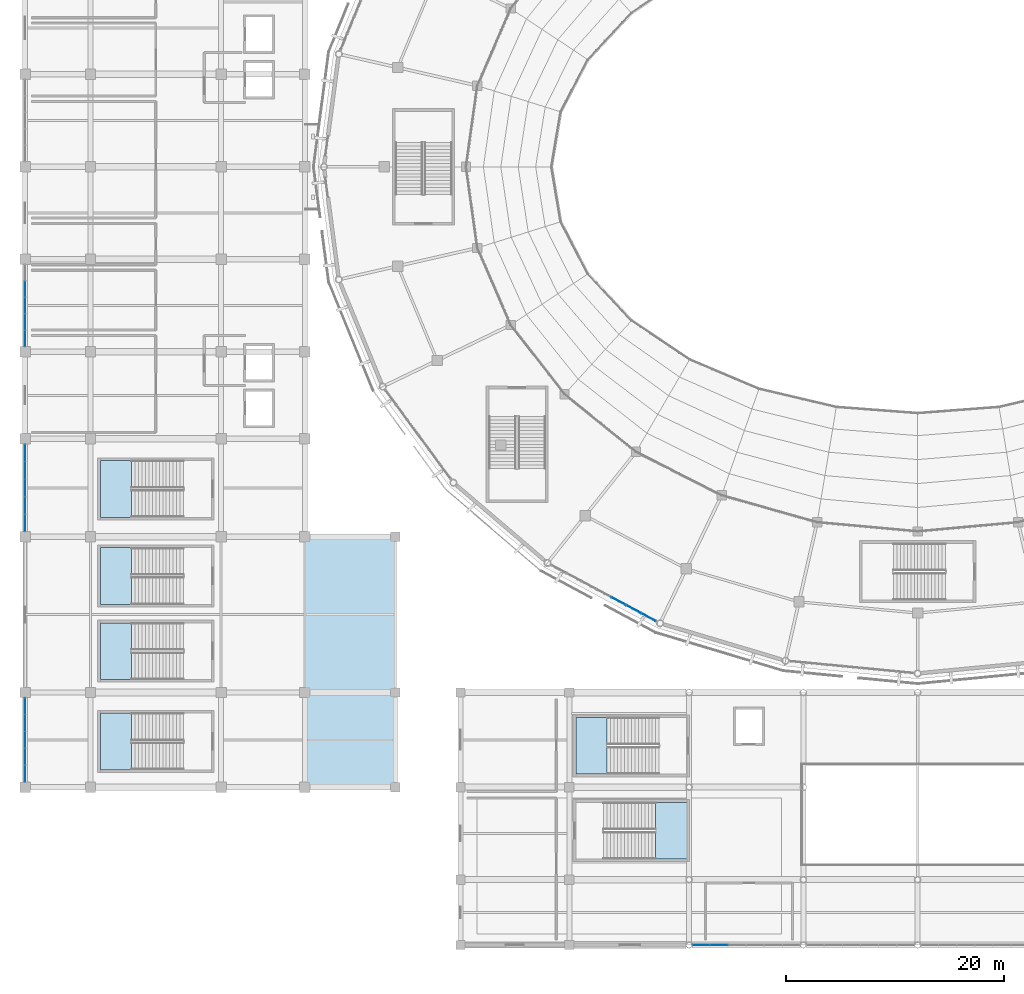
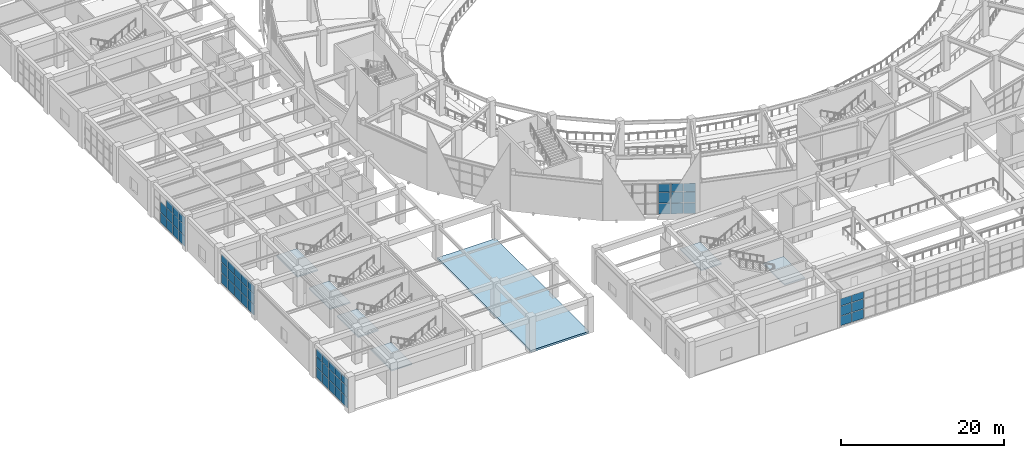
# One storey, part 57 of 120: 56 plates, 7 slabs, 11 elements without a shape of their own.
"""IFC4 building model written with IfcOpenShell, lengths in metres."""

from ifc_helpers import new_model, si_unit, direction, frame, origin, origin_2d, place, context, subcontext, project, spatial, polyline, rectangle, outline, extrude, material, layer, layer_set, type_object, element, aggregate, save


model = new_model("IFC4")

# Units and contexts
model_context = context("Model", 3, precision=1e-05, world=origin(), true_north=direction((0.0, 1.0)))
body_context = subcontext(model_context, "Body", "Model", "MODEL_VIEW")
ifc_project = project(units=[si_unit("LENGTHUNIT", "METRE"), si_unit("AREAUNIT", "SQUARE_METRE"), si_unit("VOLUMEUNIT", "CUBIC_METRE"), si_unit("PLANEANGLEUNIT", "RADIAN"), si_unit("MASSUNIT", "GRAM", prefix="KILO")], contexts=[model_context])

# Site, building, storey
site_placement = place(None, origin())
site = spatial("IfcSite", under=ifc_project, at=site_placement, CompositionType="ELEMENT")
building_placement = place(site_placement, origin())
building = spatial("IfcBuilding", under=site, at=building_placement, Name="Cuetzalor Civic Arena", CompositionType="ELEMENT")
storey_placement = place(building_placement, frame((0.0, 0.0, 6.0)))
storey = spatial("IfcBuildingStorey", under=building, at=storey_placement, Name="L01", CompositionType="ELEMENT", Elevation=6.0)

# Curtain wall, plates
ifc_material_1 = material(Name="Anodised dark bronze aluminium and low-E solar glass", Category="aluminium")
curtain_wall_type_1 = type_object("IfcCurtainWallType", Name="UnitisedCW_10950x4650", PredefinedType="USERDEFINED", material=ifc_material_1)
curtain_wall_1_placement = place(storey_placement, origin())
curtain_wall_1 = element("IfcCurtainWall", 1, at=curtain_wall_1_placement, inside=storey, type_object=curtain_wall_type_1, Name="Drum Triangle Foyer Curtain Wall L01-028", ObjectType="UNITISED CURTAIN WALL", PredefinedType="USERDEFINED")
ifc_material_2 = material(Name="Acoustic laminated solar control glass", Category="glass")
ifc_layer_1 = layer(ifc_material_2, 0.0439453125)
ifc_layer_set_1 = layer_set([ifc_layer_1], Name="Acoustic laminated solar control glass")
plate_type_1 = type_object("IfcPlateType", Name="AcousticTripleGlazedPanel_44", PredefinedType="CURTAIN_PANEL", material=ifc_layer_set_1)
plate_1_placement = place(storey_placement, frame((-24.720947265625, -41.375732421875, 0.06982421875), z_axis=(0.0, 0.0, 1.0), x_axis=(-0.881306344124, 0.472545371163, 0.0)))
plate_1 = element("IfcPlate", 2, at=plate_1_placement, type_object=plate_type_1, Name="CW-07 panel 1.1", PredefinedType="CURTAIN_PANEL", context=body_context, shape_type="SweptSolid", body=[
    extrude(rectangle(XDim=1.458740234375, YDim=0.0439453125, at=origin_2d()), origin(), (0.0, 0.0, 1.0), 1.570068359375),
])
plate_2_placement = place(storey_placement, frame((-24.720947265625, -41.375732421875, 1.7099609375), z_axis=(0.0, 0.0, 1.0), x_axis=(-0.881306344124, 0.472545371163, 0.0)))
plate_2 = element("IfcPlate", 3, at=plate_2_placement, type_object=plate_type_1, Name="CW-07 panel 1.2", PredefinedType="CURTAIN_PANEL", context=body_context, shape_type="SweptSolid", body=[
    extrude(rectangle(XDim=1.458740234375, YDim=0.0439453125, at=origin_2d()), origin(), (0.0, 0.0, 1.0), 1.60498046875),
])
plate_3_placement = place(storey_placement, frame((-24.720947265625, -41.375732421875, 3.384765625), z_axis=(0.0, 0.0, 1.0), x_axis=(-0.881306344124, 0.472545371163, 0.0)))
plate_3 = element("IfcPlate", 4, at=plate_3_placement, type_object=plate_type_1, Name="CW-07 panel 1.3", PredefinedType="CURTAIN_PANEL", context=body_context, shape_type="SweptSolid", body=[
    extrude(rectangle(XDim=1.458740234375, YDim=0.0439453125, at=origin_2d()), origin(), (0.0, 0.0, 1.0), 1.197998046875),
])
plate_4_placement = place(storey_placement, frame((-26.08349609375, -40.64501953125, 0.06982421875), z_axis=(0.0, 0.0, 1.0), x_axis=(-0.881306344124, 0.472545371163, 0.0)))
plate_4 = element("IfcPlate", 5, at=plate_4_placement, type_object=plate_type_1, Name="CW-07 panel 2.1", PredefinedType="CURTAIN_PANEL", context=body_context, shape_type="SweptSolid", body=[
    extrude(rectangle(XDim=1.49365234375, YDim=0.0439453125, at=origin_2d()), origin(), (0.0, 0.0, 1.0), 1.570068359375),
])
plate_5_placement = place(storey_placement, frame((-26.08349609375, -40.64501953125, 1.7099609375), z_axis=(0.0, 0.0, 1.0), x_axis=(-0.881306344124, 0.472545371163, 0.0)))
plate_5 = element("IfcPlate", 6, at=plate_5_placement, type_object=plate_type_1, Name="CW-07 panel 2.2", PredefinedType="CURTAIN_PANEL", context=body_context, shape_type="SweptSolid", body=[
    extrude(rectangle(XDim=1.49365234375, YDim=0.0439453125, at=origin_2d()), origin(), (0.0, 0.0, 1.0), 1.60498046875),
])
plate_6_placement = place(storey_placement, frame((-26.08349609375, -40.64501953125, 3.384765625), z_axis=(0.0, 0.0, 1.0), x_axis=(-0.881306344124, 0.472545371163, 0.0)))
plate_6 = element("IfcPlate", 7, at=plate_6_placement, type_object=plate_type_1, Name="CW-07 panel 2.3", PredefinedType="CURTAIN_PANEL", context=body_context, shape_type="SweptSolid", body=[
    extrude(rectangle(XDim=1.49365234375, YDim=0.0439453125, at=origin_2d()), origin(), (0.0, 0.0, 1.0), 1.197998046875),
])
plate_7_placement = place(storey_placement, frame((-27.461669921875, -39.90625, 0.06982421875), z_axis=(0.0, 0.0, 1.0), x_axis=(-0.881306344124, 0.472545371163, 0.0)))
plate_7 = element("IfcPlate", 8, at=plate_7_placement, type_object=plate_type_1, Name="CW-07 panel 3.1", PredefinedType="CURTAIN_PANEL", context=body_context, shape_type="SweptSolid", body=[
    extrude(rectangle(XDim=1.49365234375, YDim=0.0439453125, at=origin_2d()), origin(), (0.0, 0.0, 1.0), 1.570068359375),
])
plate_8_placement = place(storey_placement, frame((-27.461669921875, -39.90625, 1.7099609375), z_axis=(0.0, 0.0, 1.0), x_axis=(-0.881306344124, 0.472545371163, 0.0)))
plate_8 = element("IfcPlate", 9, at=plate_8_placement, type_object=plate_type_1, Name="CW-07 panel 3.2", PredefinedType="CURTAIN_PANEL", context=body_context, shape_type="SweptSolid", body=[
    extrude(rectangle(XDim=1.49365234375, YDim=0.0439453125, at=origin_2d()), origin(), (0.0, 0.0, 1.0), 1.60498046875),
])
plate_9_placement = place(storey_placement, frame((-27.461669921875, -39.90625, 3.384765625), z_axis=(0.0, 0.0, 1.0), x_axis=(-0.881306344124, 0.472545371163, 0.0)))
plate_9 = element("IfcPlate", 10, at=plate_9_placement, type_object=plate_type_1, Name="CW-07 panel 3.3", PredefinedType="CURTAIN_PANEL", context=body_context, shape_type="SweptSolid", body=[
    extrude(rectangle(XDim=1.49365234375, YDim=0.0439453125, at=origin_2d()), origin(), (0.0, 0.0, 1.0), 1.197998046875),
])
aggregate(curtain_wall_1, [plate_1, plate_2, plate_3, plate_4, plate_5, plate_6, plate_7, plate_8, plate_9])

ifc_material_3 = material(Name="Anodised dark bronze aluminium and low-E solar glass", Category="aluminium")
curtain_wall_type_2 = type_object("IfcCurtainWallType", Name="UnitisedCW_7800x4450", PredefinedType="USERDEFINED", material=ifc_material_3)
curtain_wall_2_placement = place(storey_placement, origin())
curtain_wall_2 = element("IfcCurtainWall", 11, at=curtain_wall_2_placement, inside=storey, type_object=curtain_wall_type_2, Name="V4W Suite Viewing Curtain Wall L01-108", ObjectType="UNITISED CURTAIN WALL", PredefinedType="USERDEFINED")
plate_10_placement = place(storey_placement, frame((-82.0, -55.748046875, 0.06494140625), z_axis=(0.0, 0.0, 1.0), x_axis=(0.0, 1.0, 0.0)))
plate_10 = element("IfcPlate", 12, at=plate_10_placement, type_object=plate_type_1, Name="CW-36 panel 1.1", PredefinedType="CURTAIN_PANEL", context=body_context, shape_type="SweptSolid", body=[
    extrude(rectangle(XDim=1.459716796875, YDim=0.0439453125, at=origin_2d()), origin(), (0.0, 0.0, 1.0), 1.508544921875),
])
plate_11_placement = place(storey_placement, frame((-82.0, -55.748046875, 1.638427734375), z_axis=(0.0, 0.0, 1.0), x_axis=(0.0, 1.0, 0.0)))
plate_11 = element("IfcPlate", 13, at=plate_11_placement, type_object=plate_type_1, Name="CW-36 panel 1.2", PredefinedType="CURTAIN_PANEL", context=body_context, shape_type="SweptSolid", body=[
    extrude(rectangle(XDim=1.459716796875, YDim=0.0439453125, at=origin_2d()), origin(), (0.0, 0.0, 1.0), 1.5400390625),
])
plate_12_placement = place(storey_placement, frame((-82.0, -55.748046875, 3.24365234375), z_axis=(0.0, 0.0, 1.0), x_axis=(0.0, 1.0, 0.0)))
plate_12 = element("IfcPlate", 14, at=plate_12_placement, type_object=plate_type_1, Name="CW-36 panel 1.3", PredefinedType="CURTAIN_PANEL", context=body_context, shape_type="SweptSolid", body=[
    extrude(rectangle(XDim=1.459716796875, YDim=0.0439453125, at=origin_2d()), origin(), (0.0, 0.0, 1.0), 1.151611328125),
])
plate_13_placement = place(storey_placement, frame((-82.0, -54.207275390625, 0.06494140625), z_axis=(0.0, 0.0, 1.0), x_axis=(0.0, 1.0, 0.0)))
plate_13 = element("IfcPlate", 15, at=plate_13_placement, type_object=plate_type_1, Name="CW-36 panel 2.1", PredefinedType="CURTAIN_PANEL", context=body_context, shape_type="SweptSolid", body=[
    extrude(rectangle(XDim=1.4921875, YDim=0.0439453125, at=origin_2d()), origin(), (0.0, 0.0, 1.0), 1.508544921875),
])
plate_14_placement = place(storey_placement, frame((-82.0, -54.207275390625, 1.638427734375), z_axis=(0.0, 0.0, 1.0), x_axis=(0.0, 1.0, 0.0)))
plate_14 = element("IfcPlate", 16, at=plate_14_placement, type_object=plate_type_1, Name="CW-36 panel 2.2", PredefinedType="CURTAIN_PANEL", context=body_context, shape_type="SweptSolid", body=[
    extrude(rectangle(XDim=1.4921875, YDim=0.0439453125, at=origin_2d()), origin(), (0.0, 0.0, 1.0), 1.5400390625),
])
plate_15_placement = place(storey_placement, frame((-82.0, -54.207275390625, 3.24365234375), z_axis=(0.0, 0.0, 1.0), x_axis=(0.0, 1.0, 0.0)))
plate_15 = element("IfcPlate", 17, at=plate_15_placement, type_object=plate_type_1, Name="CW-36 panel 2.3", PredefinedType="CURTAIN_PANEL", context=body_context, shape_type="SweptSolid", body=[
    extrude(rectangle(XDim=1.4921875, YDim=0.0439453125, at=origin_2d()), origin(), (0.0, 0.0, 1.0), 1.151611328125),
])
plate_16_placement = place(storey_placement, frame((-82.0, -52.64990234375, 0.06494140625), z_axis=(0.0, 0.0, 1.0), x_axis=(0.0, 1.0, 0.0)))
plate_16 = element("IfcPlate", 18, at=plate_16_placement, type_object=plate_type_1, Name="CW-36 panel 3.1", PredefinedType="CURTAIN_PANEL", context=body_context, shape_type="SweptSolid", body=[
    extrude(rectangle(XDim=1.4921875, YDim=0.0439453125, at=origin_2d()), origin(), (0.0, 0.0, 1.0), 1.508544921875),
])
plate_17_placement = place(storey_placement, frame((-82.0, -52.64990234375, 1.638427734375), z_axis=(0.0, 0.0, 1.0), x_axis=(0.0, 1.0, 0.0)))
plate_17 = element("IfcPlate", 19, at=plate_17_placement, type_object=plate_type_1, Name="CW-36 panel 3.2", PredefinedType="CURTAIN_PANEL", context=body_context, shape_type="SweptSolid", body=[
    extrude(rectangle(XDim=1.4921875, YDim=0.0439453125, at=origin_2d()), origin(), (0.0, 0.0, 1.0), 1.5400390625),
])
plate_18_placement = place(storey_placement, frame((-82.0, -52.64990234375, 3.24365234375), z_axis=(0.0, 0.0, 1.0), x_axis=(0.0, 1.0, 0.0)))
plate_18 = element("IfcPlate", 20, at=plate_18_placement, type_object=plate_type_1, Name="CW-36 panel 3.3", PredefinedType="CURTAIN_PANEL", context=body_context, shape_type="SweptSolid", body=[
    extrude(rectangle(XDim=1.4921875, YDim=0.0439453125, at=origin_2d()), origin(), (0.0, 0.0, 1.0), 1.151611328125),
])
plate_19_placement = place(storey_placement, frame((-82.0, -51.0927734375, 0.06494140625), z_axis=(0.0, 0.0, 1.0), x_axis=(0.0, 1.0, 0.0)))
plate_19 = element("IfcPlate", 21, at=plate_19_placement, type_object=plate_type_1, Name="CW-36 panel 4.1", PredefinedType="CURTAIN_PANEL", context=body_context, shape_type="SweptSolid", body=[
    extrude(rectangle(XDim=1.4921875, YDim=0.0439453125, at=origin_2d()), origin(), (0.0, 0.0, 1.0), 1.508544921875),
])
plate_20_placement = place(storey_placement, frame((-82.0, -51.0927734375, 1.638427734375), z_axis=(0.0, 0.0, 1.0), x_axis=(0.0, 1.0, 0.0)))
plate_20 = element("IfcPlate", 22, at=plate_20_placement, type_object=plate_type_1, Name="CW-36 panel 4.2", PredefinedType="CURTAIN_PANEL", context=body_context, shape_type="SweptSolid", body=[
    extrude(rectangle(XDim=1.4921875, YDim=0.0439453125, at=origin_2d()), origin(), (0.0, 0.0, 1.0), 1.5400390625),
])
plate_21_placement = place(storey_placement, frame((-82.0, -51.0927734375, 3.24365234375), z_axis=(0.0, 0.0, 1.0), x_axis=(0.0, 1.0, 0.0)))
plate_21 = element("IfcPlate", 23, at=plate_21_placement, type_object=plate_type_1, Name="CW-36 panel 4.3", PredefinedType="CURTAIN_PANEL", context=body_context, shape_type="SweptSolid", body=[
    extrude(rectangle(XDim=1.4921875, YDim=0.0439453125, at=origin_2d()), origin(), (0.0, 0.0, 1.0), 1.151611328125),
])
plate_22_placement = place(storey_placement, frame((-82.0, -49.5517578125, 0.06494140625), z_axis=(0.0, 0.0, 1.0), x_axis=(0.0, 1.0, 0.0)))
plate_22 = element("IfcPlate", 24, at=plate_22_placement, type_object=plate_type_1, Name="CW-36 panel 5.1", PredefinedType="CURTAIN_PANEL", context=body_context, shape_type="SweptSolid", body=[
    extrude(rectangle(XDim=1.459716796875, YDim=0.0439453125, at=origin_2d()), origin(), (0.0, 0.0, 1.0), 1.508544921875),
])
plate_23_placement = place(storey_placement, frame((-82.0, -49.5517578125, 1.638427734375), z_axis=(0.0, 0.0, 1.0), x_axis=(0.0, 1.0, 0.0)))
plate_23 = element("IfcPlate", 25, at=plate_23_placement, type_object=plate_type_1, Name="CW-36 panel 5.2", PredefinedType="CURTAIN_PANEL", context=body_context, shape_type="SweptSolid", body=[
    extrude(rectangle(XDim=1.459716796875, YDim=0.0439453125, at=origin_2d()), origin(), (0.0, 0.0, 1.0), 1.5400390625),
])
plate_24_placement = place(storey_placement, frame((-82.0, -49.5517578125, 3.24365234375), z_axis=(0.0, 0.0, 1.0), x_axis=(0.0, 1.0, 0.0)))
plate_24 = element("IfcPlate", 26, at=plate_24_placement, type_object=plate_type_1, Name="CW-36 panel 5.3", PredefinedType="CURTAIN_PANEL", context=body_context, shape_type="SweptSolid", body=[
    extrude(rectangle(XDim=1.459716796875, YDim=0.0439453125, at=origin_2d()), origin(), (0.0, 0.0, 1.0), 1.151611328125),
])
aggregate(curtain_wall_2, [plate_10, plate_11, plate_12, plate_13, plate_14, plate_15, plate_16, plate_17, plate_18, plate_19, plate_20, plate_21, plate_22, plate_23, plate_24])

ifc_material_4 = material(Name="Anodised dark bronze aluminium and low-E solar glass", Category="aluminium")
curtain_wall_type_3 = type_object("IfcCurtainWallType", Name="UnitisedCW_8100x4450", PredefinedType="USERDEFINED", material=ifc_material_4)
curtain_wall_3_placement = place(storey_placement, origin())
curtain_wall_3 = element("IfcCurtainWall", 27, at=curtain_wall_3_placement, inside=storey, type_object=curtain_wall_type_3, Name="V4W Suite Viewing Curtain Wall L01-109", ObjectType="UNITISED CURTAIN WALL", PredefinedType="USERDEFINED")
plate_25_placement = place(storey_placement, frame((-82.0, -32.71826171875, 0.06494140625), z_axis=(0.0, 0.0, 1.0), x_axis=(0.0, 1.0, 0.0)))
plate_25 = element("IfcPlate", 28, at=plate_25_placement, type_object=plate_type_1, Name="CW-37 panel 1.1", PredefinedType="CURTAIN_PANEL", context=body_context, shape_type="SweptSolid", body=[
    extrude(rectangle(XDim=1.519775390625, YDim=0.0439453125, at=origin_2d()), origin(), (0.0, 0.0, 1.0), 1.508544921875),
])
plate_26_placement = place(storey_placement, frame((-82.0, -32.71826171875, 1.638427734375), z_axis=(0.0, 0.0, 1.0), x_axis=(0.0, 1.0, 0.0)))
plate_26 = element("IfcPlate", 29, at=plate_26_placement, type_object=plate_type_1, Name="CW-37 panel 1.2", PredefinedType="CURTAIN_PANEL", context=body_context, shape_type="SweptSolid", body=[
    extrude(rectangle(XDim=1.519775390625, YDim=0.0439453125, at=origin_2d()), origin(), (0.0, 0.0, 1.0), 1.5400390625),
])
plate_27_placement = place(storey_placement, frame((-82.0, -32.71826171875, 3.24365234375), z_axis=(0.0, 0.0, 1.0), x_axis=(0.0, 1.0, 0.0)))
plate_27 = element("IfcPlate", 30, at=plate_27_placement, type_object=plate_type_1, Name="CW-37 panel 1.3", PredefinedType="CURTAIN_PANEL", context=body_context, shape_type="SweptSolid", body=[
    extrude(rectangle(XDim=1.519775390625, YDim=0.0439453125, at=origin_2d()), origin(), (0.0, 0.0, 1.0), 1.151611328125),
])
plate_28_placement = place(storey_placement, frame((-82.0, -31.1171875, 0.06494140625), z_axis=(0.0, 0.0, 1.0), x_axis=(0.0, 1.0, 0.0)))
plate_28 = element("IfcPlate", 31, at=plate_28_placement, type_object=plate_type_1, Name="CW-37 panel 2.1", PredefinedType="CURTAIN_PANEL", context=body_context, shape_type="SweptSolid", body=[
    extrude(rectangle(XDim=1.55224609375, YDim=0.0439453125, at=origin_2d()), origin(), (0.0, 0.0, 1.0), 1.508544921875),
])
plate_29_placement = place(storey_placement, frame((-82.0, -31.1171875, 1.638427734375), z_axis=(0.0, 0.0, 1.0), x_axis=(0.0, 1.0, 0.0)))
plate_29 = element("IfcPlate", 32, at=plate_29_placement, type_object=plate_type_1, Name="CW-37 panel 2.2", PredefinedType="CURTAIN_PANEL", context=body_context, shape_type="SweptSolid", body=[
    extrude(rectangle(XDim=1.55224609375, YDim=0.0439453125, at=origin_2d()), origin(), (0.0, 0.0, 1.0), 1.5400390625),
])
plate_30_placement = place(storey_placement, frame((-82.0, -31.1171875, 3.24365234375), z_axis=(0.0, 0.0, 1.0), x_axis=(0.0, 1.0, 0.0)))
plate_30 = element("IfcPlate", 33, at=plate_30_placement, type_object=plate_type_1, Name="CW-37 panel 2.3", PredefinedType="CURTAIN_PANEL", context=body_context, shape_type="SweptSolid", body=[
    extrude(rectangle(XDim=1.55224609375, YDim=0.0439453125, at=origin_2d()), origin(), (0.0, 0.0, 1.0), 1.151611328125),
])
plate_31_placement = place(storey_placement, frame((-82.0, -29.5, 0.06494140625), z_axis=(0.0, 0.0, 1.0), x_axis=(0.0, 1.0, 0.0)))
plate_31 = element("IfcPlate", 34, at=plate_31_placement, type_object=plate_type_1, Name="CW-37 panel 3.1", PredefinedType="CURTAIN_PANEL", context=body_context, shape_type="SweptSolid", body=[
    extrude(rectangle(XDim=1.55224609375, YDim=0.0439453125, at=origin_2d()), origin(), (0.0, 0.0, 1.0), 1.508544921875),
])
plate_32_placement = place(storey_placement, frame((-82.0, -29.5, 1.638427734375), z_axis=(0.0, 0.0, 1.0), x_axis=(0.0, 1.0, 0.0)))
plate_32 = element("IfcPlate", 35, at=plate_32_placement, type_object=plate_type_1, Name="CW-37 panel 3.2", PredefinedType="CURTAIN_PANEL", context=body_context, shape_type="SweptSolid", body=[
    extrude(rectangle(XDim=1.55224609375, YDim=0.0439453125, at=origin_2d()), origin(), (0.0, 0.0, 1.0), 1.5400390625),
])
plate_33_placement = place(storey_placement, frame((-82.0, -29.5, 3.24365234375), z_axis=(0.0, 0.0, 1.0), x_axis=(0.0, 1.0, 0.0)))
plate_33 = element("IfcPlate", 36, at=plate_33_placement, type_object=plate_type_1, Name="CW-37 panel 3.3", PredefinedType="CURTAIN_PANEL", context=body_context, shape_type="SweptSolid", body=[
    extrude(rectangle(XDim=1.55224609375, YDim=0.0439453125, at=origin_2d()), origin(), (0.0, 0.0, 1.0), 1.151611328125),
])
plate_34_placement = place(storey_placement, frame((-82.0, -27.8828125, 0.06494140625), z_axis=(0.0, 0.0, 1.0), x_axis=(0.0, 1.0, 0.0)))
plate_34 = element("IfcPlate", 37, at=plate_34_placement, type_object=plate_type_1, Name="CW-37 panel 4.1", PredefinedType="CURTAIN_PANEL", context=body_context, shape_type="SweptSolid", body=[
    extrude(rectangle(XDim=1.55224609375, YDim=0.0439453125, at=origin_2d()), origin(), (0.0, 0.0, 1.0), 1.508544921875),
])
plate_35_placement = place(storey_placement, frame((-82.0, -27.8828125, 1.638427734375), z_axis=(0.0, 0.0, 1.0), x_axis=(0.0, 1.0, 0.0)))
plate_35 = element("IfcPlate", 38, at=plate_35_placement, type_object=plate_type_1, Name="CW-37 panel 4.2", PredefinedType="CURTAIN_PANEL", context=body_context, shape_type="SweptSolid", body=[
    extrude(rectangle(XDim=1.55224609375, YDim=0.0439453125, at=origin_2d()), origin(), (0.0, 0.0, 1.0), 1.5400390625),
])
plate_36_placement = place(storey_placement, frame((-82.0, -27.8828125, 3.24365234375), z_axis=(0.0, 0.0, 1.0), x_axis=(0.0, 1.0, 0.0)))
plate_36 = element("IfcPlate", 39, at=plate_36_placement, type_object=plate_type_1, Name="CW-37 panel 4.3", PredefinedType="CURTAIN_PANEL", context=body_context, shape_type="SweptSolid", body=[
    extrude(rectangle(XDim=1.55224609375, YDim=0.0439453125, at=origin_2d()), origin(), (0.0, 0.0, 1.0), 1.151611328125),
])
plate_37_placement = place(storey_placement, frame((-82.0, -26.28173828125, 0.06494140625), z_axis=(0.0, 0.0, 1.0), x_axis=(0.0, 1.0, 0.0)))
plate_37 = element("IfcPlate", 40, at=plate_37_placement, type_object=plate_type_1, Name="CW-37 panel 5.1", PredefinedType="CURTAIN_PANEL", context=body_context, shape_type="SweptSolid", body=[
    extrude(rectangle(XDim=1.519775390625, YDim=0.0439453125, at=origin_2d()), origin(), (0.0, 0.0, 1.0), 1.508544921875),
])
plate_38_placement = place(storey_placement, frame((-82.0, -26.28173828125, 1.638427734375), z_axis=(0.0, 0.0, 1.0), x_axis=(0.0, 1.0, 0.0)))
plate_38 = element("IfcPlate", 41, at=plate_38_placement, type_object=plate_type_1, Name="CW-37 panel 5.2", PredefinedType="CURTAIN_PANEL", context=body_context, shape_type="SweptSolid", body=[
    extrude(rectangle(XDim=1.519775390625, YDim=0.0439453125, at=origin_2d()), origin(), (0.0, 0.0, 1.0), 1.5400390625),
])
plate_39_placement = place(storey_placement, frame((-82.0, -26.28173828125, 3.24365234375), z_axis=(0.0, 0.0, 1.0), x_axis=(0.0, 1.0, 0.0)))
plate_39 = element("IfcPlate", 42, at=plate_39_placement, type_object=plate_type_1, Name="CW-37 panel 5.3", PredefinedType="CURTAIN_PANEL", context=body_context, shape_type="SweptSolid", body=[
    extrude(rectangle(XDim=1.519775390625, YDim=0.0439453125, at=origin_2d()), origin(), (0.0, 0.0, 1.0), 1.151611328125),
])
aggregate(curtain_wall_3, [plate_25, plate_26, plate_27, plate_28, plate_29, plate_30, plate_31, plate_32, plate_33, plate_34, plate_35, plate_36, plate_37, plate_38, plate_39])

ifc_material_5 = material(Name="Anodised dark bronze aluminium and low-E solar glass", Category="aluminium")
curtain_wall_type_4 = type_object("IfcCurtainWallType", Name="UnitisedCW_7600x4450", PredefinedType="USERDEFINED", material=ifc_material_5)
curtain_wall_4_placement = place(storey_placement, origin())
curtain_wall_4 = element("IfcCurtainWall", 43, at=curtain_wall_4_placement, inside=storey, type_object=curtain_wall_type_4, Name="V4W Suite Viewing Curtain Wall L01-110", ObjectType="UNITISED CURTAIN WALL", PredefinedType="USERDEFINED")
plate_40_placement = place(storey_placement, frame((-82.0, -15.76806640625, 0.06494140625), z_axis=(0.0, 0.0, 1.0), x_axis=(0.0, 1.0, 0.0)))
plate_40 = element("IfcPlate", 44, at=plate_40_placement, type_object=plate_type_1, Name="CW-38 panel 1.1", PredefinedType="CURTAIN_PANEL", context=body_context, shape_type="SweptSolid", body=[
    extrude(rectangle(XDim=1.419677734375, YDim=0.0439453125, at=origin_2d()), origin(), (0.0, 0.0, 1.0), 1.508544921875),
])
plate_41_placement = place(storey_placement, frame((-82.0, -15.76806640625, 1.638427734375), z_axis=(0.0, 0.0, 1.0), x_axis=(0.0, 1.0, 0.0)))
plate_41 = element("IfcPlate", 45, at=plate_41_placement, type_object=plate_type_1, Name="CW-38 panel 1.2", PredefinedType="CURTAIN_PANEL", context=body_context, shape_type="SweptSolid", body=[
    extrude(rectangle(XDim=1.419677734375, YDim=0.0439453125, at=origin_2d()), origin(), (0.0, 0.0, 1.0), 1.5400390625),
])
plate_42_placement = place(storey_placement, frame((-82.0, -15.76806640625, 3.24365234375), z_axis=(0.0, 0.0, 1.0), x_axis=(0.0, 1.0, 0.0)))
plate_42 = element("IfcPlate", 46, at=plate_42_placement, type_object=plate_type_1, Name="CW-38 panel 1.3", PredefinedType="CURTAIN_PANEL", context=body_context, shape_type="SweptSolid", body=[
    extrude(rectangle(XDim=1.419677734375, YDim=0.0439453125, at=origin_2d()), origin(), (0.0, 0.0, 1.0), 1.151611328125),
])
plate_43_placement = place(storey_placement, frame((-82.0, -14.26708984375, 0.06494140625), z_axis=(0.0, 0.0, 1.0), x_axis=(0.0, 1.0, 0.0)))
plate_43 = element("IfcPlate", 47, at=plate_43_placement, type_object=plate_type_1, Name="CW-38 panel 2.1", PredefinedType="CURTAIN_PANEL", context=body_context, shape_type="SweptSolid", body=[
    extrude(rectangle(XDim=1.4521484375, YDim=0.0439453125, at=origin_2d()), origin(), (0.0, 0.0, 1.0), 1.508544921875),
])
plate_44_placement = place(storey_placement, frame((-82.0, -14.26708984375, 1.638427734375), z_axis=(0.0, 0.0, 1.0), x_axis=(0.0, 1.0, 0.0)))
plate_44 = element("IfcPlate", 48, at=plate_44_placement, type_object=plate_type_1, Name="CW-38 panel 2.2", PredefinedType="CURTAIN_PANEL", context=body_context, shape_type="SweptSolid", body=[
    extrude(rectangle(XDim=1.4521484375, YDim=0.0439453125, at=origin_2d()), origin(), (0.0, 0.0, 1.0), 1.5400390625),
])
plate_45_placement = place(storey_placement, frame((-82.0, -14.26708984375, 3.24365234375), z_axis=(0.0, 0.0, 1.0), x_axis=(0.0, 1.0, 0.0)))
plate_45 = element("IfcPlate", 49, at=plate_45_placement, type_object=plate_type_1, Name="CW-38 panel 2.3", PredefinedType="CURTAIN_PANEL", context=body_context, shape_type="SweptSolid", body=[
    extrude(rectangle(XDim=1.4521484375, YDim=0.0439453125, at=origin_2d()), origin(), (0.0, 0.0, 1.0), 1.151611328125),
])
plate_46_placement = place(storey_placement, frame((-82.0, -12.75, 0.06494140625), z_axis=(0.0, 0.0, 1.0), x_axis=(0.0, 1.0, 0.0)))
plate_46 = element("IfcPlate", 50, at=plate_46_placement, type_object=plate_type_1, Name="CW-38 panel 3.1", PredefinedType="CURTAIN_PANEL", context=body_context, shape_type="SweptSolid", body=[
    extrude(rectangle(XDim=1.4521484375, YDim=0.0439453125, at=origin_2d()), origin(), (0.0, 0.0, 1.0), 1.508544921875),
])
plate_47_placement = place(storey_placement, frame((-82.0, -12.75, 1.638427734375), z_axis=(0.0, 0.0, 1.0), x_axis=(0.0, 1.0, 0.0)))
plate_47 = element("IfcPlate", 51, at=plate_47_placement, type_object=plate_type_1, Name="CW-38 panel 3.2", PredefinedType="CURTAIN_PANEL", context=body_context, shape_type="SweptSolid", body=[
    extrude(rectangle(XDim=1.4521484375, YDim=0.0439453125, at=origin_2d()), origin(), (0.0, 0.0, 1.0), 1.5400390625),
])
plate_48_placement = place(storey_placement, frame((-82.0, -12.75, 3.24365234375), z_axis=(0.0, 0.0, 1.0), x_axis=(0.0, 1.0, 0.0)))
plate_48 = element("IfcPlate", 52, at=plate_48_placement, type_object=plate_type_1, Name="CW-38 panel 3.3", PredefinedType="CURTAIN_PANEL", context=body_context, shape_type="SweptSolid", body=[
    extrude(rectangle(XDim=1.4521484375, YDim=0.0439453125, at=origin_2d()), origin(), (0.0, 0.0, 1.0), 1.151611328125),
])
plate_49_placement = place(storey_placement, frame((-82.0, -11.23291015625, 0.06494140625), z_axis=(0.0, 0.0, 1.0), x_axis=(0.0, 1.0, 0.0)))
plate_49 = element("IfcPlate", 53, at=plate_49_placement, type_object=plate_type_1, Name="CW-38 panel 4.1", PredefinedType="CURTAIN_PANEL", context=body_context, shape_type="SweptSolid", body=[
    extrude(rectangle(XDim=1.4521484375, YDim=0.0439453125, at=origin_2d()), origin(), (0.0, 0.0, 1.0), 1.508544921875),
])
plate_50_placement = place(storey_placement, frame((-82.0, -11.23291015625, 1.638427734375), z_axis=(0.0, 0.0, 1.0), x_axis=(0.0, 1.0, 0.0)))
plate_50 = element("IfcPlate", 54, at=plate_50_placement, type_object=plate_type_1, Name="CW-38 panel 4.2", PredefinedType="CURTAIN_PANEL", context=body_context, shape_type="SweptSolid", body=[
    extrude(rectangle(XDim=1.4521484375, YDim=0.0439453125, at=origin_2d()), origin(), (0.0, 0.0, 1.0), 1.5400390625),
])
aggregate(curtain_wall_4, [plate_40, plate_41, plate_42, plate_43, plate_44, plate_45, plate_46, plate_47, plate_48, plate_49, plate_50])

# Slab
ifc_material_6 = material(Name="Concrete C35/45", Category="concrete")
ifc_layer_2 = layer(ifc_material_6, 0.300048828125)
ifc_layer_set_2 = layer_set([ifc_layer_2], Name="Concrete C35/45")
slab_type_1 = type_object("IfcSlabType", Name="ConcourseFloorSlab_300", PredefinedType="FLOOR", material=ifc_layer_set_2)
slab_1_placement = place(storey_placement, frame((0.0, 0.0, -0.300048828125)))
element("IfcSlab", 55, at=slab_1_placement, inside=storey, type_object=slab_type_1, Name="V4W Return Floor Slab L01", PredefinedType="FLOOR", context=body_context, shape_type="SweptSolid", body=[
    extrude(outline(polyline([(-56.300048828125, -57.0), (-48.0, -57.0), (-48.0, -34.0), (-56.300048828125, -34.0), (-56.300048828125, -57.0)])), origin(), (0.0, 0.0, 1.0), 0.300048828125),
])

# Curtain wall, plates
ifc_material_7 = material(Name="Anodised dark bronze aluminium and low-E solar glass", Category="aluminium")
curtain_wall_type_5 = type_object("IfcCurtainWallType", Name="StickCW_10000x4150", PredefinedType="USERDEFINED", material=ifc_material_7)
curtain_wall_5_placement = place(storey_placement, origin())
curtain_wall_5 = element("IfcCurtainWall", 56, at=curtain_wall_5_placement, inside=storey, type_object=curtain_wall_type_5, Name="South Civic Square Curtain Wall L01-083", ObjectType="STICK CURTAIN WALL", PredefinedType="USERDEFINED")
ifc_material_8 = material(Name="Low-E laminated solar control glass", Category="glass")
ifc_layer_3 = layer(ifc_material_8, 0.031982421875)
ifc_layer_set_3 = layer_set([ifc_layer_3], Name="Low-E laminated solar control glass")
plate_type_2 = type_object("IfcPlateType", Name="SolarControlGlazedPanel_32", PredefinedType="CURTAIN_PANEL", material=ifc_layer_set_3)
plate_51_placement = place(storey_placement, frame((-18.244140625, -71.5, 0.06494140625), z_axis=(0.0, 0.0, 1.0), x_axis=(-1.0, 0.0, 0.0)))
plate_51 = element("IfcPlate", 57, at=plate_51_placement, type_object=plate_type_2, Name="CW-25 panel 5.1", PredefinedType="CURTAIN_PANEL", context=body_context, shape_type="SweptSolid", body=[
    extrude(rectangle(XDim=1.597900390625, YDim=0.031982421875, at=origin_2d()), origin(), (0.0, 0.0, 1.0), 1.400390625),
])
plate_52_placement = place(storey_placement, frame((-18.244140625, -71.5, 1.53076171875), z_axis=(0.0, 0.0, 1.0), x_axis=(-1.0, 0.0, 0.0)))
plate_52 = element("IfcPlate", 58, at=plate_52_placement, type_object=plate_type_2, Name="CW-25 panel 5.2", PredefinedType="CURTAIN_PANEL", context=body_context, shape_type="SweptSolid", body=[
    extrude(rectangle(XDim=1.597900390625, YDim=0.031982421875, at=origin_2d()), origin(), (0.0, 0.0, 1.0), 1.431884765625),
])
plate_53_placement = place(storey_placement, frame((-18.244140625, -71.5, 3.027587890625), z_axis=(0.0, 0.0, 1.0), x_axis=(-1.0, 0.0, 0.0)))
plate_53 = element("IfcPlate", 59, at=plate_53_placement, type_object=plate_type_2, Name="CW-25 panel 5.3", PredefinedType="CURTAIN_PANEL", context=body_context, shape_type="SweptSolid", body=[
    extrude(rectangle(XDim=1.597900390625, YDim=0.031982421875, at=origin_2d()), origin(), (0.0, 0.0, 1.0), 1.0673828125),
])
plate_54_placement = place(storey_placement, frame((-19.890869140625, -71.5, 0.06494140625), z_axis=(0.0, 0.0, 1.0), x_axis=(-1.0, 0.0, 0.0)))
plate_54 = element("IfcPlate", 60, at=plate_54_placement, type_object=plate_type_2, Name="CW-25 panel 6.1", PredefinedType="CURTAIN_PANEL", context=body_context, shape_type="SweptSolid", body=[
    extrude(rectangle(XDim=1.5654296875, YDim=0.031982421875, at=origin_2d()), origin(), (0.0, 0.0, 1.0), 1.400390625),
])
plate_55_placement = place(storey_placement, frame((-19.890869140625, -71.5, 1.53076171875), z_axis=(0.0, 0.0, 1.0), x_axis=(-1.0, 0.0, 0.0)))
plate_55 = element("IfcPlate", 61, at=plate_55_placement, type_object=plate_type_2, Name="CW-25 panel 6.2", PredefinedType="CURTAIN_PANEL", context=body_context, shape_type="SweptSolid", body=[
    extrude(rectangle(XDim=1.5654296875, YDim=0.031982421875, at=origin_2d()), origin(), (0.0, 0.0, 1.0), 1.431884765625),
])
plate_56_placement = place(storey_placement, frame((-19.890869140625, -71.5, 3.027587890625), z_axis=(0.0, 0.0, 1.0), x_axis=(-1.0, 0.0, 0.0)))
plate_56 = element("IfcPlate", 62, at=plate_56_placement, type_object=plate_type_2, Name="CW-25 panel 6.3", PredefinedType="CURTAIN_PANEL", context=body_context, shape_type="SweptSolid", body=[
    extrude(rectangle(XDim=1.5654296875, YDim=0.031982421875, at=origin_2d()), origin(), (0.0, 0.0, 1.0), 1.0673828125),
])
aggregate(curtain_wall_5, [plate_51, plate_52, plate_53, plate_54, plate_55, plate_56])

# Stair, slab
ifc_material_9 = material(Name="Precast concrete C40/50", Category="concrete")
stair_type = type_object("IfcStairType", Name="EnclosedExitStair_H540", PredefinedType="HALF_TURN_STAIR", material=ifc_material_9)
stair_1_placement = place(storey_placement, origin())
stair_1 = element("IfcStair", 63, at=stair_1_placement, inside=storey, type_object=stair_type, Name="L01 Enclosed Exit Stair ST-09", PredefinedType="HALF_TURN_STAIR")
ifc_material_10 = material(Name="Concrete C40/50", Category="concrete")
ifc_layer_4 = layer(ifc_material_10, 0.199951171875)
ifc_layer_set_4 = layer_set([ifc_layer_4], Name="Concrete C40/50")
slab_type_2 = type_object("IfcSlabType", Name="StairHalfLandingSlab_200", PredefinedType="LANDING", material=ifc_layer_set_4)
slab_2_placement = place(storey_placement, frame((0.0, 0.0, 2.5)))
slab_2 = element("IfcSlab", 64, at=slab_2_placement, type_object=slab_type_2, Name="ST-09 landing 1", PredefinedType="LANDING", context=body_context, shape_type="SweptSolid", body=[
    extrude(outline(polyline([(-24.080078125, -63.60009765625), (-21.199951171875, -63.60009765625), (-21.199951171875, -58.39990234375), (-24.080078125, -58.39990234375), (-24.080078125, -63.60009765625)])), origin(), (0.0, 0.0, 1.0), 0.199951171875),
])
aggregate(stair_1, [slab_2])

stair_2_placement = place(storey_placement, origin())
stair_2 = element("IfcStair", 65, at=stair_2_placement, inside=storey, type_object=stair_type, Name="L01 Enclosed Exit Stair ST-10", PredefinedType="HALF_TURN_STAIR")
slab_3_placement = place(storey_placement, frame((0.0, 0.0, 2.5)))
slab_3 = element("IfcSlab", 66, at=slab_3_placement, type_object=slab_type_2, Name="ST-10 landing 1", PredefinedType="LANDING", context=body_context, shape_type="SweptSolid", body=[
    extrude(outline(polyline([(-28.52001953125, -50.60009765625), (-31.39990234375, -50.60009765625), (-31.39990234375, -55.800048828125), (-28.52001953125, -55.800048828125), (-28.52001953125, -50.60009765625)])), origin(), (0.0, 0.0, 1.0), 0.199951171875),
])
aggregate(stair_2, [slab_3])

stair_3_placement = place(storey_placement, origin())
stair_3 = element("IfcStair", 67, at=stair_3_placement, inside=storey, type_object=stair_type, Name="L01 Enclosed Exit Stair ST-13", PredefinedType="HALF_TURN_STAIR")
slab_4_placement = place(storey_placement, frame((0.0, 0.0, 2.5)))
slab_4 = element("IfcSlab", 68, at=slab_4_placement, type_object=slab_type_2, Name="ST-13 landing 1", PredefinedType="LANDING", context=body_context, shape_type="SweptSolid", body=[
    extrude(outline(polyline([(-72.219970703125, -50.199951171875), (-75.10009765625, -50.199951171875), (-75.10009765625, -55.39990234375), (-72.219970703125, -55.39990234375), (-72.219970703125, -50.199951171875)])), origin(), (0.0, 0.0, 1.0), 0.199951171875),
])
aggregate(stair_3, [slab_4])

stair_4_placement = place(storey_placement, origin())
stair_4 = element("IfcStair", 69, at=stair_4_placement, inside=storey, type_object=stair_type, Name="L01 Enclosed Exit Stair ST-14", PredefinedType="HALF_TURN_STAIR")
slab_5_placement = place(storey_placement, frame((0.0, 0.0, 2.5)))
slab_5 = element("IfcSlab", 70, at=slab_5_placement, type_object=slab_type_2, Name="ST-14 landing 1", PredefinedType="LANDING", context=body_context, shape_type="SweptSolid", body=[
    extrude(outline(polyline([(-72.219970703125, -41.89990234375), (-75.10009765625, -41.89990234375), (-75.10009765625, -47.10009765625), (-72.219970703125, -47.10009765625), (-72.219970703125, -41.89990234375)])), origin(), (0.0, 0.0, 1.0), 0.199951171875),
])
aggregate(stair_4, [slab_5])

stair_5_placement = place(storey_placement, origin())
stair_5 = element("IfcStair", 71, at=stair_5_placement, inside=storey, type_object=stair_type, Name="L01 Enclosed Exit Stair ST-15", PredefinedType="HALF_TURN_STAIR")
slab_6_placement = place(storey_placement, frame((0.0, 0.0, 2.5)))
slab_6 = element("IfcSlab", 72, at=slab_6_placement, type_object=slab_type_2, Name="ST-15 landing 1", PredefinedType="LANDING", context=body_context, shape_type="SweptSolid", body=[
    extrude(outline(polyline([(-72.219970703125, -35.0), (-75.10009765625, -35.0), (-75.10009765625, -40.199951171875), (-72.219970703125, -40.199951171875), (-72.219970703125, -35.0)])), origin(), (0.0, 0.0, 1.0), 0.199951171875),
])
aggregate(stair_5, [slab_6])

stair_6_placement = place(storey_placement, origin())
stair_6 = element("IfcStair", 73, at=stair_6_placement, inside=storey, type_object=stair_type, Name="L01 Enclosed Exit Stair ST-16", PredefinedType="HALF_TURN_STAIR")
slab_7_placement = place(storey_placement, frame((0.0, 0.0, 2.5)))
slab_7 = element("IfcSlab", 74, at=slab_7_placement, type_object=slab_type_2, Name="ST-16 landing 1", PredefinedType="LANDING", context=body_context, shape_type="SweptSolid", body=[
    extrude(outline(polyline([(-72.219970703125, -27.0), (-75.10009765625, -27.0), (-75.10009765625, -32.199951171875), (-72.219970703125, -32.199951171875), (-72.219970703125, -27.0)])), origin(), (0.0, 0.0, 1.0), 0.199951171875),
])
aggregate(stair_6, [slab_7])

save(model, "model.ifc")
